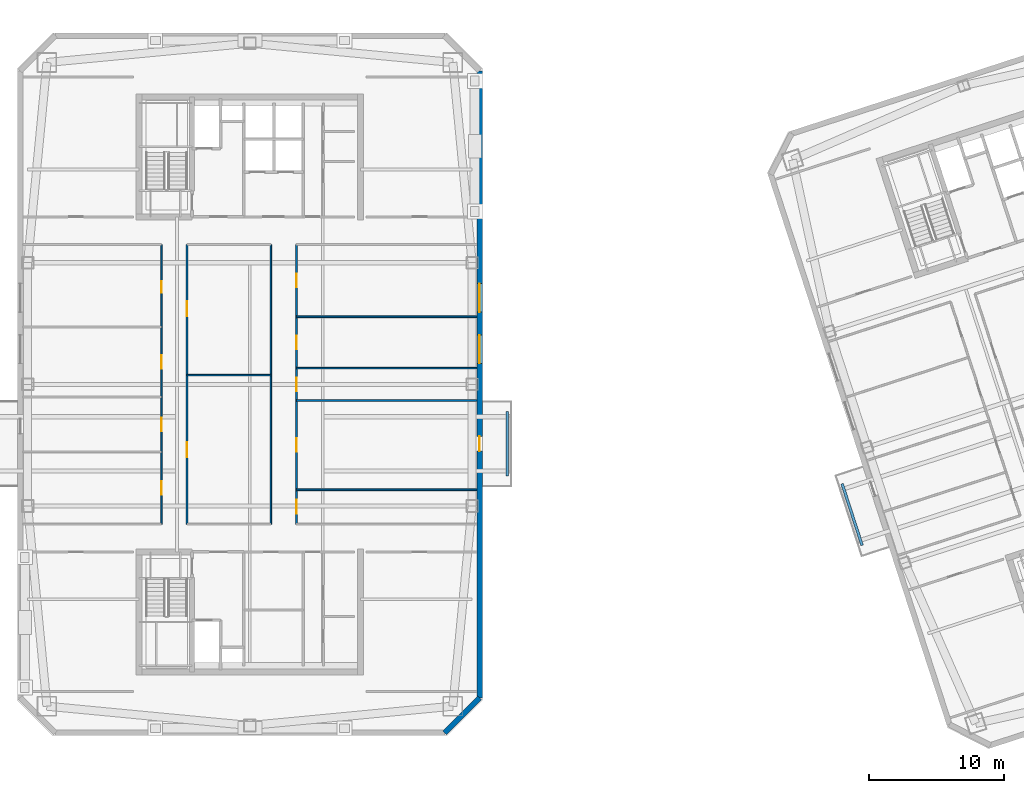
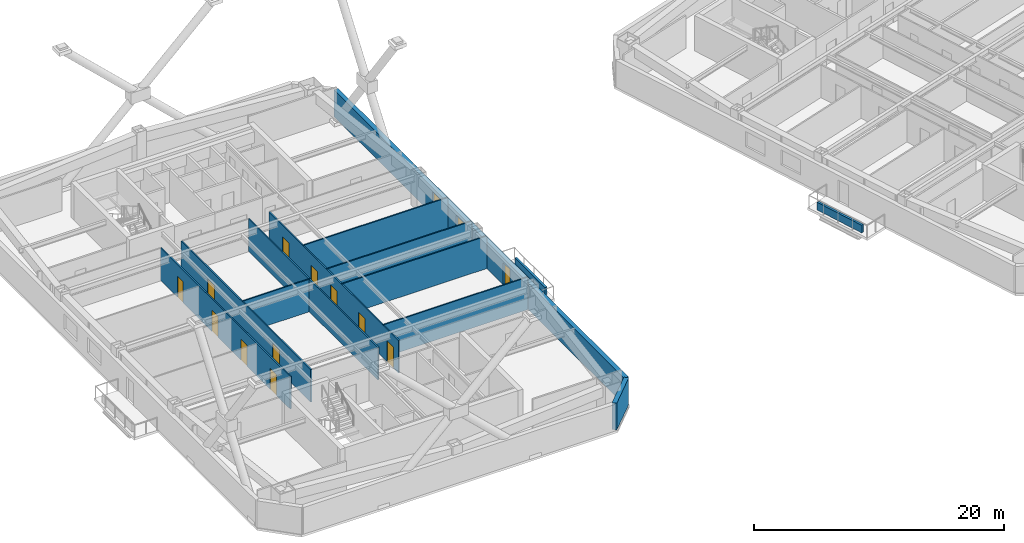
# One storey, part 7 of 16: 13 walls, 12 doors, 2 windows, 14 openings.
"""IFC4 building model written with IfcOpenShell, lengths in metres."""

import ifcopenshell
import ifcopenshell.guid

model = None  # the IFC model being written
_history = None  # IfcOwnerHistory: only IFC2X3 demands one
_inside = {}  # id of a spatial element -> (the spatial element, [elements in it])
_under = {}  # id of a project, library or spatial element -> (it, [spatial elements below it])
_declared = {}  # id of a project -> (the project, [libraries it declares])
_typed = {}  # id of a type object -> (the type object, [elements of that type])
_made_of = {}  # id of a material, layer set ... -> (it, [elements and type objects made of it])


def new_model(schema):
    """Start an empty IFC model of exactly this schema.

    Asked for "IFC4X3", IfcOpenShell would pick the latest addendum, in which some entities
    have other attributes; the version numbers below select the first issue.
    IFC2X3 requires an IfcOwnerHistory on every rooted entity: one is made here for all.
    """
    global model, _history
    if schema == "IFC4X3":
        model = ifcopenshell.file(schema_version=(4, 3, 0, 0))
    else:
        model = ifcopenshell.file(schema=schema)
    _inside.clear()
    _under.clear()
    _declared.clear()
    _typed.clear()
    _made_of.clear()
    _history = None
    if model.schema == "IFC2X3":
        org = make("IfcOrganization", Name="unknown")
        user = make(
            "IfcPersonAndOrganization",
            ThePerson=make("IfcPerson", FamilyName="unknown"),
            TheOrganization=org,
        )
        app = make(
            "IfcApplication",
            ApplicationDeveloper=org,
            Version="unknown",
            ApplicationFullName="unknown",
            ApplicationIdentifier="unknown",
        )
        _history = make(
            "IfcOwnerHistory",
            OwningUser=user,
            OwningApplication=app,
            ChangeAction="ADDED",
            CreationDate=0,
        )
    return model


def make(cls, **values):
    """One entity of the class cls with the attributes given. An attribute that is None is left unset."""
    return model.create_entity(
        cls, **{name: value for name, value in values.items() if value is not None}
    )


def rooted(cls, **values):
    """An entity with a GlobalId (a new one), such as an element, a storey or a relation."""
    return make(cls, GlobalId=ifcopenshell.guid.new(), OwnerHistory=_history, **values)


def si_unit(unit_type, name, prefix=None):
    """IfcSIUnit, for example si_unit("LENGTHUNIT", "METRE", prefix="MILLI")."""
    return make("IfcSIUnit", UnitType=unit_type, Prefix=prefix, Name=name)


def assignment(units):
    """IfcUnitAssignment: the units of a project."""
    return None if units is None else make("IfcUnitAssignment", Units=units)


def point(xyz):
    """IfcCartesianPoint."""
    return None if xyz is None else make("IfcCartesianPoint", Coordinates=xyz)


def direction(xyz):
    """IfcDirection."""
    return None if xyz is None else make("IfcDirection", DirectionRatios=xyz)


def frame(location, z_axis=None, x_axis=None):
    """IfcAxis2Placement3D, a coordinate frame: its origin and axes. An axis left out is left unset."""
    return make(
        "IfcAxis2Placement3D",
        Location=point(location),
        Axis=direction(z_axis),
        RefDirection=direction(x_axis),
    )


def frame_2d(location, x_axis=None):
    """IfcAxis2Placement2D, a coordinate frame in the plane: its origin and x axis."""
    return make(
        "IfcAxis2Placement2D", Location=point(location), RefDirection=direction(x_axis)
    )


def origin():
    """The frame at (0, 0, 0) with its axes left unset."""
    return frame((0.0, 0.0, 0.0))


def place(relative_to, where):
    """IfcLocalPlacement: puts the frame where relative to a parent placement (None: the world)."""
    return make(
        "IfcLocalPlacement", PlacementRelTo=relative_to, RelativePlacement=where
    )


def context(
    kind, dimensions, precision=None, world=None, true_north=None, identifier=None
):
    """IfcGeometricRepresentationContext, for example the 3D "Model" context."""
    return make(
        "IfcGeometricRepresentationContext",
        ContextIdentifier=identifier,
        ContextType=kind,
        CoordinateSpaceDimension=dimensions,
        Precision=precision,
        WorldCoordinateSystem=world,
        TrueNorth=true_north,
    )


def subcontext(parent, identifier, kind, view, scale=None):
    """IfcGeometricRepresentationSubContext, for example "Body" below "Model"."""
    return make(
        "IfcGeometricRepresentationSubContext",
        ContextIdentifier=identifier,
        ContextType=kind,
        ParentContext=parent,
        TargetScale=scale,
        TargetView=view,
    )


def project(units=None, contexts=None):
    """IfcProject with its units and contexts."""
    return rooted(
        "IfcProject",
        Name="project",
        RepresentationContexts=contexts,
        UnitsInContext=assignment(units),
    )


def spatial(cls, under=None, at=None, **own):
    """A site, building, storey or space (cls), placed at a placement, below another one or the project."""
    s = rooted(cls, ObjectPlacement=at, **own)
    if under is not None:
        _under.setdefault(under.id(), (under, []))[1].append(s)
    return s


def profile(cls, at=None, kind="AREA", **sizes):
    """A parametric profile (cls). Its sizes go by their IFC names, for example OverallWidth=200.0."""
    return make(cls, ProfileType=kind, Position=at, **sizes)


def rectangle(**sizes):
    """IfcRectangleProfileDef."""
    return profile("IfcRectangleProfileDef", **sizes)


def extrude(swept, where, along, depth):
    """IfcExtrudedAreaSolid: the profile swept, set in the frame where, extruded along a direction by depth."""
    return make(
        "IfcExtrudedAreaSolid",
        SweptArea=swept,
        Position=where,
        ExtrudedDirection=direction(along),
        Depth=depth,
    )


def shape(context_of_items, identifier, shape_type, items):
    """IfcShapeRepresentation: the items that make up one representation, for example the "Body"."""
    return make(
        "IfcShapeRepresentation",
        ContextOfItems=context_of_items,
        RepresentationIdentifier=identifier,
        RepresentationType=shape_type,
        Items=items,
    )


def material(Name=None, Category=None):
    """IfcMaterial."""
    return make("IfcMaterial", Name=Name, Category=Category)


def layer(
    of_material, thickness, ventilated=None, Name=None, Category=None, Priority=None
):
    """IfcMaterialLayer: one layer of a wall or slab, of a material (None: an air gap)."""
    return make(
        "IfcMaterialLayer",
        Material=of_material,
        LayerThickness=thickness,
        IsVentilated=ventilated,
        Name=Name,
        Category=Category,
        Priority=Priority,
    )


def layer_set(layers, Name=None):
    """IfcMaterialLayerSet."""
    return make("IfcMaterialLayerSet", MaterialLayers=layers, LayerSetName=Name)


def made_of(thing, what):
    """Note that an element or type object is made of a material, layer set ...; save() writes the relation."""
    if what is not None:
        _made_of.setdefault(what.id(), (what, []))[1].append(thing)
    return thing


def type_object(cls, material=None, **own):
    """A type object (cls), such as IfcWallType, which elements share."""
    return made_of(rooted(cls, **own), material)


def element(
    cls,
    number,
    at=None,
    inside=None,
    cuts=None,
    type_object=None,
    material=None,
    context=None,
    identifier="Body",
    shape_type=None,
    held_by="IfcProductDefinitionShape",
    body=None,
    shapes=None,
    **own,
):
    """One element of the class cls, such as IfcWall. Its Tag is "e" and its number.

    at: its placement. inside: the storey or other place that contains it. cuts: it is an
    opening in that element (IfcRelVoidsElement). A single representation is given by context,
    identifier, shape_type and body (its items); several are given by shapes. held_by: the class
    of the entity that holds the representations. save() writes the other relations.
    """
    e = rooted(cls, Tag="e%d" % number, ObjectPlacement=at, **own)
    if body is not None:
        shapes = [shape(context, identifier, shape_type, body)]
    if shapes is not None:
        e.Representation = make(held_by, Representations=shapes)
    if inside is not None:
        _inside.setdefault(inside.id(), (inside, []))[1].append(e)
    if cuts is not None:
        rooted(
            "IfcRelVoidsElement", RelatingBuildingElement=cuts, RelatedOpeningElement=e
        )
    if type_object is not None:
        _typed.setdefault(type_object.id(), (type_object, []))[1].append(e)
    return made_of(e, material)


def fill(opening, filler):
    """IfcRelFillsElement: the door or window that sits in an opening."""
    return rooted(
        "IfcRelFillsElement",
        RelatingOpeningElement=opening,
        RelatedBuildingElement=filler,
    )


def aggregate(whole, parts):
    """IfcRelAggregates: a whole, such as a stair, and the parts it consists of."""
    return rooted("IfcRelAggregates", RelatingObject=whole, RelatedObjects=parts)


def save(model, path):
    """Write the relations noted so far, then the file.

    IfcRelAggregates (storeys below a building ...), IfcRelContainedInSpatialStructure (elements
    in a storey), IfcRelDefinesByType, IfcRelAssociatesMaterial and IfcRelDeclares: one each for
    every whole, place, type object, material and project.
    """
    for whole, parts in _under.values():
        aggregate(whole, parts)
    for where, things in _inside.values():
        rooted(
            "IfcRelContainedInSpatialStructure",
            RelatedElements=things,
            RelatingStructure=where,
        )
    for kind, things in _typed.values():
        rooted("IfcRelDefinesByType", RelatedObjects=things, RelatingType=kind)
    for what, things in _made_of.values():
        rooted("IfcRelAssociatesMaterial", RelatedObjects=things, RelatingMaterial=what)
    for by, libraries in _declared.values():
        rooted("IfcRelDeclares", RelatingContext=by, RelatedDefinitions=libraries)
    model.write(path)


model = new_model("IFC4")

# Units and contexts
model_context = context("Model", 3, precision=1e-05, world=origin(), true_north=direction((0.0, 1.0)))
body_context = subcontext(model_context, "Body", "Model", "MODEL_VIEW")
ifc_project = project(units=[si_unit("LENGTHUNIT", "METRE"), si_unit("AREAUNIT", "SQUARE_METRE"), si_unit("VOLUMEUNIT", "CUBIC_METRE"), si_unit("PLANEANGLEUNIT", "RADIAN"), si_unit("MASSUNIT", "GRAM", prefix="KILO")], contexts=[model_context])

# Site, building, storey
site_placement = place(None, origin())
site = spatial("IfcSite", under=ifc_project, at=site_placement, CompositionType="ELEMENT")
building_placement = place(site_placement, origin())
building = spatial("IfcBuilding", under=site, at=building_placement, Name="Qiaolan Cultural Towers", CompositionType="ELEMENT")
storey_placement = place(building_placement, frame((0.0, 0.0, 188.60009765625)))
storey = spatial("IfcBuildingStorey", under=building, at=storey_placement, Name="L50", CompositionType="ELEMENT", Elevation=188.60009765625)

# Wall, openings, door, windows
ifc_material_1 = material(Name="Precast Concrete C50 Honed Stone Pier", Category="masonry")
ifc_layer_1 = layer(ifc_material_1, 0.39990234375)
ifc_layer_set_1 = layer_set([ifc_layer_1], Name="Precast Concrete C50 Honed Stone Pier")
wall_type_1 = type_object("IfcWallType", Name="WL-EXT-PIER-400", PredefinedType="SOLIDWALL", material=ifc_layer_set_1)
wall_1_placement = place(storey_placement, frame((47.0, 57.199951171875, 0.0), z_axis=(0.0, 0.0, 1.0), x_axis=(0.0, -1.0, 0.0)))
wall_1 = element("IfcWall", 1, at=wall_1_placement, inside=storey, type_object=wall_type_1, Name="L50 West Tower Precast Pier Facade Wall F5", PredefinedType="SOLIDWALL", context=body_context, shape_type="SweptSolid", body=[
    extrude(rectangle(XDim=46.39990234375, YDim=0.39990234375, at=frame_2d((23.199951171875, 0.0))), origin(), (0.0, 0.0, 1.0), 2.60986328125),
])
opening_1_placement = place(wall_1_placement, frame((19.550048828125, 0.0, 0.75)))
opening_1 = element("IfcOpeningElement", 2, at=opening_1_placement, cuts=wall_1, Name="Opening W-05", PredefinedType="OPENING", context=body_context, shape_type="SweptSolid", body=[
    extrude(rectangle(XDim=2.10009765625, YDim=1.4599609375, at=frame_2d((1.050048828125, 0.72998046875))), frame((0.0, 0.2099609375, 0.0), z_axis=(0.0, -1.0, 0.0), x_axis=(1.0, 0.0, 0.0)), (0.0, 0.0, 1.0), 0.419921875),
])
opening_2_placement = place(wall_1_placement, frame((15.75, 0.0, 0.75)))
opening_2 = element("IfcOpeningElement", 3, at=opening_2_placement, cuts=wall_1, Name="Opening W-05", PredefinedType="OPENING", context=body_context, shape_type="SweptSolid", body=[
    extrude(rectangle(XDim=2.10009765625, YDim=1.4599609375, at=frame_2d((1.050048828125, 0.72998046875))), frame((0.0, 0.2099609375, 0.0), z_axis=(0.0, -1.0, 0.0), x_axis=(1.0, 0.0, 0.0)), (0.0, 0.0, 1.0), 0.419921875),
])
opening_3_placement = place(wall_1_placement, frame((27.050048828125, 0.0, 0.0)))
opening_3 = element("IfcOpeningElement", 4, at=opening_3_placement, cuts=wall_1, Name="Opening BD-01", PredefinedType="OPENING", context=body_context, shape_type="SweptSolid", body=[
    extrude(rectangle(XDim=1.10009765625, YDim=2.14990234375, at=frame_2d((0.550048828125, 1.074951171875))), frame((0.0, 0.2099609375, 0.0), z_axis=(0.0, -1.0, 0.0), x_axis=(1.0, 0.0, 0.0)), (0.0, 0.0, 1.0), 0.419921875),
])
ifc_material_2 = material(Name="Thermally Broken Aluminium Glazed Terrace Door", Category="aluminium")
door_type_1 = type_object("IfcDoorType", Name="DR-BAL-1100", OperationType="NOTDEFINED", PredefinedType="DOOR", material=ifc_material_2)
door_1_placement = place(opening_3_placement, origin())
door_1 = element("IfcDoor", 5, at=door_1_placement, inside=storey, type_object=door_type_1, Name="L50 T1 East Tree Balcony Door", OperationType="SINGLE_SWING_RIGHT", OverallHeight=2.14990234375, OverallWidth=1.10009765625, PredefinedType="DOOR", context=body_context, shape_type="SweptSolid", body=[
    extrude(rectangle(XDim=1.10009765625, YDim=2.14990234375, at=frame_2d((0.550048828125, 1.074951171875))), frame((0.0, 0.02490234375, 0.0), z_axis=(0.0, -1.0, 0.0), x_axis=(1.0, 0.0, 0.0)), (0.0, 0.0, 1.0), 0.050048828125),
])
fill(opening_3, door_1)
ifc_material_3 = material(Name="Thermally Broken Aluminium Triple Low-E Glazing", Category="aluminium")
window_type = type_object("IfcWindowType", Name="WN-CHIC-2100", PartitioningType="SINGLE_PANEL", PredefinedType="WINDOW", material=ifc_material_3)
window_1_placement = place(opening_1_placement, origin())
window_1 = element("IfcWindow", 6, at=window_1_placement, inside=storey, type_object=window_type, Name="L50 T1 E Chicago Bay Window 1", OverallHeight=1.4599609375, OverallWidth=2.10009765625, PartitioningType="TRIPLE_PANEL_VERTICAL", PredefinedType="WINDOW", context=body_context, shape_type="SweptSolid", body=[
    extrude(rectangle(XDim=2.10009765625, YDim=1.4599609375, at=frame_2d((1.050048828125, 0.72998046875))), frame((0.0, 0.030029296875, 0.0), z_axis=(0.0, -1.0, 0.0), x_axis=(1.0, 0.0, 0.0)), (0.0, 0.0, 1.0), 0.06005859375),
])
fill(opening_1, window_1)
window_2_placement = place(opening_2_placement, origin())
window_2 = element("IfcWindow", 7, at=window_2_placement, inside=storey, type_object=window_type, Name="L50 T1 E Chicago Bay Window 2", OverallHeight=1.4599609375, OverallWidth=2.10009765625, PartitioningType="TRIPLE_PANEL_VERTICAL", PredefinedType="WINDOW", context=body_context, shape_type="SweptSolid", body=[
    extrude(rectangle(XDim=2.10009765625, YDim=1.4599609375, at=frame_2d((1.050048828125, 0.72998046875))), frame((0.0, 0.030029296875, 0.0), z_axis=(0.0, -1.0, 0.0), x_axis=(1.0, 0.0, 0.0)), (0.0, 0.0, 1.0), 0.06005859375),
])
fill(opening_2, window_2)

# Wall
wall_2_placement = place(storey_placement, frame((47.0, 10.800048828125, 0.0), z_axis=(0.0, 0.0, 1.0), x_axis=(-0.707106781187, -0.707106781187, 0.0)))
element("IfcWall", 8, at=wall_2_placement, inside=storey, type_object=wall_type_1, Name="L50 West Tower Precast Pier Facade Wall F6", PredefinedType="SOLIDWALL", context=body_context, shape_type="SweptSolid", body=[
    extrude(rectangle(XDim=3.677001953125, YDim=0.39990234375, at=frame_2d((1.83837890625, 0.0))), origin(), (0.0, 0.0, 1.0), 2.60986328125),
])

# Wall, openings, doors
ifc_material_4 = material(Name="Gypsum Stud Acoustic Partition", Category="gypsum")
ifc_layer_2 = layer(ifc_material_4, 0.1201171875)
ifc_layer_set_2 = layer_set([ifc_layer_2], Name="Gypsum Stud Acoustic Partition")
wall_type_2 = type_object("IfcWallType", Name="WL-PART-120", PredefinedType="PARTITIONING", material=ifc_layer_set_2)
wall_3_placement = place(storey_placement, frame((23.449951171875, 23.64990234375, 0.0), z_axis=(0.0, 0.0, 1.0), x_axis=(0.0, 1.0, 0.0)))
wall_3 = element("IfcWall", 9, at=wall_3_placement, inside=storey, type_object=wall_type_2, Name="L50 T1 Interior Wall", PredefinedType="PARTITIONING", context=body_context, shape_type="SweptSolid", body=[
    extrude(rectangle(XDim=20.7001953125, YDim=0.1201171875, at=frame_2d((10.35009765625, 0.0))), origin(), (0.0, 0.0, 1.0), 3.1748046875),
])
opening_4_placement = place(wall_3_placement, frame((2.175048828125, 0.0, 0.0)))
opening_4 = element("IfcOpeningElement", 10, at=opening_4_placement, cuts=wall_3, Name="Opening ID-04", PredefinedType="OPENING", context=body_context, shape_type="SweptSolid", body=[
    extrude(rectangle(XDim=1.0, YDim=2.050048828125, at=frame_2d((0.5, 1.02490234375))), frame((0.0, 0.070068359375, 0.0), z_axis=(0.0, -1.0, 0.0), x_axis=(1.0, 0.0, 0.0)), (0.0, 0.0, 1.0), 0.14013671875),
])
opening_5_placement = place(wall_3_placement, frame((6.882568359375, 0.0, 0.0)))
opening_5 = element("IfcOpeningElement", 11, at=opening_5_placement, cuts=wall_3, Name="Opening ID-04", PredefinedType="OPENING", context=body_context, shape_type="SweptSolid", body=[
    extrude(rectangle(XDim=1.0, YDim=2.050048828125, at=frame_2d((0.5, 1.02490234375))), frame((0.0, 0.070068359375, 0.0), z_axis=(0.0, -1.0, 0.0), x_axis=(1.0, 0.0, 0.0)), (0.0, 0.0, 1.0), 0.14013671875),
])
opening_6_placement = place(wall_3_placement, frame((11.50244140625, 0.0, 0.0)))
opening_6 = element("IfcOpeningElement", 12, at=opening_6_placement, cuts=wall_3, Name="Opening ID-04", PredefinedType="OPENING", context=body_context, shape_type="SweptSolid", body=[
    extrude(rectangle(XDim=1.0, YDim=2.050048828125, at=frame_2d((0.5, 1.02490234375))), frame((0.0, 0.070068359375, 0.0), z_axis=(0.0, -1.0, 0.0), x_axis=(1.0, 0.0, 0.0)), (0.0, 0.0, 1.0), 0.14013671875),
])
opening_7_placement = place(wall_3_placement, frame((17.14501953125, 0.0, 0.0)))
opening_7 = element("IfcOpeningElement", 13, at=opening_7_placement, cuts=wall_3, Name="Opening ID-09", PredefinedType="OPENING", context=body_context, shape_type="SweptSolid", body=[
    extrude(rectangle(XDim=0.85009765625, YDim=2.050048828125, at=frame_2d((0.425048828125, 1.02490234375))), frame((0.0, 0.070068359375, 0.0), z_axis=(0.0, -1.0, 0.0), x_axis=(1.0, 0.0, 0.0)), (0.0, 0.0, 1.0), 0.14013671875),
])
ifc_material_5 = material(Name="Oak Veneer Acoustic Office Door", Category="timber")
door_type_2 = type_object("IfcDoorType", Name="DR-INT-1000", OperationType="NOTDEFINED", PredefinedType="DOOR", material=ifc_material_5)
door_2_placement = place(opening_4_placement, origin())
door_2 = element("IfcDoor", 14, at=door_2_placement, inside=storey, type_object=door_type_2, Name="L50 T1 International Law Office Door", OperationType="SINGLE_SWING_LEFT", OverallHeight=2.050048828125, OverallWidth=1.0, PredefinedType="DOOR", context=body_context, shape_type="SweptSolid", body=[
    extrude(rectangle(XDim=1.0, YDim=2.050048828125, at=frame_2d((0.5, 1.02490234375))), frame((0.0, 0.02490234375, 0.0), z_axis=(0.0, -1.0, 0.0), x_axis=(1.0, 0.0, 0.0)), (0.0, 0.0, 1.0), 0.050048828125),
])
fill(opening_4, door_2)
door_3_placement = place(opening_5_placement, origin())
door_3 = element("IfcDoor", 15, at=door_3_placement, inside=storey, type_object=door_type_2, Name="L50 T1 International Law Office Door", OperationType="SINGLE_SWING_RIGHT", OverallHeight=2.050048828125, OverallWidth=1.0, PredefinedType="DOOR", context=body_context, shape_type="SweptSolid", body=[
    extrude(rectangle(XDim=1.0, YDim=2.050048828125, at=frame_2d((0.5, 1.02490234375))), frame((0.0, 0.02490234375, 0.0), z_axis=(0.0, -1.0, 0.0), x_axis=(1.0, 0.0, 0.0)), (0.0, 0.0, 1.0), 0.050048828125),
])
fill(opening_5, door_3)
door_4_placement = place(opening_6_placement, origin())
door_4 = element("IfcDoor", 16, at=door_4_placement, inside=storey, type_object=door_type_2, Name="L50 T1 International Law Office Door", OperationType="SINGLE_SWING_LEFT", OverallHeight=2.050048828125, OverallWidth=1.0, PredefinedType="DOOR", context=body_context, shape_type="SweptSolid", body=[
    extrude(rectangle(XDim=1.0, YDim=2.050048828125, at=frame_2d((0.5, 1.02490234375))), frame((0.0, 0.02490234375, 0.0), z_axis=(0.0, -1.0, 0.0), x_axis=(1.0, 0.0, 0.0)), (0.0, 0.0, 1.0), 0.050048828125),
])
fill(opening_6, door_4)
ifc_material_6 = material(Name="Moisture-Resistant Laminate Utility Door", Category="timber")
door_type_3 = type_object("IfcDoorType", Name="DR-INT-850", OperationType="NOTDEFINED", PredefinedType="DOOR", material=ifc_material_6)
door_5_placement = place(opening_7_placement, origin())
door_5 = element("IfcDoor", 17, at=door_5_placement, inside=storey, type_object=door_type_3, Name="L50 T1 Arbitration Room Door", OperationType="SINGLE_SWING_RIGHT", OverallHeight=2.050048828125, OverallWidth=0.85009765625, PredefinedType="DOOR", context=body_context, shape_type="SweptSolid", body=[
    extrude(rectangle(XDim=0.85009765625, YDim=2.050048828125, at=frame_2d((0.425048828125, 1.02490234375))), frame((0.0, 0.02490234375, 0.0), z_axis=(0.0, -1.0, 0.0), x_axis=(1.0, 0.0, 0.0)), (0.0, 0.0, 1.0), 0.050048828125),
])
fill(opening_7, door_5)

wall_4_placement = place(storey_placement, frame((25.35009765625, 23.64990234375, 0.0), z_axis=(0.0, 0.0, 1.0), x_axis=(0.0, 1.0, 0.0)))
wall_4 = element("IfcWall", 18, at=wall_4_placement, inside=storey, type_object=wall_type_2, Name="L50 T1 Interior Wall", PredefinedType="PARTITIONING", context=body_context, shape_type="SweptSolid", body=[
    extrude(rectangle(XDim=20.7001953125, YDim=0.1201171875, at=frame_2d((10.35009765625, 0.0))), origin(), (0.0, 0.0, 1.0), 3.1748046875),
])
opening_8_placement = place(wall_4_placement, frame((4.96337890625, 0.0, 0.0)))
opening_8 = element("IfcOpeningElement", 19, at=opening_8_placement, cuts=wall_4, Name="Opening ID-03", PredefinedType="OPENING", context=body_context, shape_type="SweptSolid", body=[
    extrude(rectangle(XDim=1.10009765625, YDim=2.050048828125, at=frame_2d((0.550048828125, 1.02490234375))), frame((0.0, 0.070068359375, 0.0), z_axis=(0.0, -1.0, 0.0), x_axis=(1.0, 0.0, 0.0)), (0.0, 0.0, 1.0), 0.14013671875),
])
opening_9_placement = place(wall_4_placement, frame((15.381591796875, 0.0, 0.0)))
opening_9 = element("IfcOpeningElement", 20, at=opening_9_placement, cuts=wall_4, Name="Opening ID-03", PredefinedType="OPENING", context=body_context, shape_type="SweptSolid", body=[
    extrude(rectangle(XDim=1.10009765625, YDim=2.050048828125, at=frame_2d((0.550048828125, 1.02490234375))), frame((0.0, 0.070068359375, 0.0), z_axis=(0.0, -1.0, 0.0), x_axis=(1.0, 0.0, 0.0)), (0.0, 0.0, 1.0), 0.14013671875),
])
ifc_material_7 = material(Name="Oak Veneer Solid-Core Boardroom Door", Category="timber")
door_type_4 = type_object("IfcDoorType", Name="DR-INT-1100", OperationType="NOTDEFINED", PredefinedType="DOOR", material=ifc_material_7)
door_6_placement = place(opening_8_placement, origin())
door_6 = element("IfcDoor", 21, at=door_6_placement, inside=storey, type_object=door_type_4, Name="L50 T1 Central Boardroom Door", OperationType="SINGLE_SWING_LEFT", OverallHeight=2.050048828125, OverallWidth=1.10009765625, PredefinedType="DOOR", context=body_context, shape_type="SweptSolid", body=[
    extrude(rectangle(XDim=1.10009765625, YDim=2.050048828125, at=frame_2d((0.550048828125, 1.02490234375))), frame((0.0, 0.02490234375, 0.0), z_axis=(0.0, -1.0, 0.0), x_axis=(1.0, 0.0, 0.0)), (0.0, 0.0, 1.0), 0.050048828125),
])
fill(opening_8, door_6)
door_7_placement = place(opening_9_placement, origin())
door_7 = element("IfcDoor", 22, at=door_7_placement, inside=storey, type_object=door_type_4, Name="L50 T1 Central Archive Salon Door", OperationType="SINGLE_SWING_RIGHT", OverallHeight=2.050048828125, OverallWidth=1.10009765625, PredefinedType="DOOR", context=body_context, shape_type="SweptSolid", body=[
    extrude(rectangle(XDim=1.10009765625, YDim=2.050048828125, at=frame_2d((0.550048828125, 1.02490234375))), frame((0.0, 0.02490234375, 0.0), z_axis=(0.0, -1.0, 0.0), x_axis=(1.0, 0.0, 0.0)), (0.0, 0.0, 1.0), 0.050048828125),
])
fill(opening_9, door_7)

# Wall
wall_5_placement = place(storey_placement, frame((31.550048828125, 23.64990234375, 0.0), z_axis=(0.0, 0.0, 1.0), x_axis=(0.0, 1.0, 0.0)))
element("IfcWall", 23, at=wall_5_placement, inside=storey, type_object=wall_type_2, Name="L50 T1 Interior Wall", PredefinedType="PARTITIONING", context=body_context, shape_type="SweptSolid", body=[
    extrude(rectangle(XDim=20.7001953125, YDim=0.1201171875, at=frame_2d((10.35009765625, 0.0))), origin(), (0.0, 0.0, 1.0), 3.1748046875),
])

# Wall, openings, doors
wall_6_placement = place(storey_placement, frame((33.449951171875, 23.64990234375, 0.0), z_axis=(0.0, 0.0, 1.0), x_axis=(0.0, 1.0, 0.0)))
wall_6 = element("IfcWall", 24, at=wall_6_placement, inside=storey, type_object=wall_type_2, Name="L50 T1 Interior Wall", PredefinedType="PARTITIONING", context=body_context, shape_type="SweptSolid", body=[
    extrude(rectangle(XDim=20.7001953125, YDim=0.1201171875, at=frame_2d((10.35009765625, 0.0))), origin(), (0.0, 0.0, 1.0), 3.1748046875),
])
opening_10_placement = place(wall_6_placement, frame((0.77490234375, 0.0, 0.0)))
opening_10 = element("IfcOpeningElement", 25, at=opening_10_placement, cuts=wall_6, Name="Opening ID-07", PredefinedType="OPENING", context=body_context, shape_type="SweptSolid", body=[
    extrude(rectangle(XDim=1.050048828125, YDim=2.050048828125, at=frame_2d((0.52490234375, 1.02490234375))), frame((0.0, 0.070068359375, 0.0), z_axis=(0.0, -1.0, 0.0), x_axis=(1.0, 0.0, 0.0)), (0.0, 0.0, 1.0), 0.14013671875),
])
opening_11_placement = place(wall_6_placement, frame((5.35009765625, 0.0, 0.0)))
opening_11 = element("IfcOpeningElement", 26, at=opening_11_placement, cuts=wall_6, Name="Opening ID-04", PredefinedType="OPENING", context=body_context, shape_type="SweptSolid", body=[
    extrude(rectangle(XDim=1.0, YDim=2.050048828125, at=frame_2d((0.5, 1.02490234375))), frame((0.0, 0.070068359375, 0.0), z_axis=(0.0, -1.0, 0.0), x_axis=(1.0, 0.0, 0.0)), (0.0, 0.0, 1.0), 0.14013671875),
])
opening_12_placement = place(wall_6_placement, frame((9.85009765625, 0.0, 0.0)))
opening_12 = element("IfcOpeningElement", 27, at=opening_12_placement, cuts=wall_6, Name="Opening ID-04", PredefinedType="OPENING", context=body_context, shape_type="SweptSolid", body=[
    extrude(rectangle(XDim=1.0, YDim=2.050048828125, at=frame_2d((0.5, 1.02490234375))), frame((0.0, 0.070068359375, 0.0), z_axis=(0.0, -1.0, 0.0), x_axis=(1.0, 0.0, 0.0)), (0.0, 0.0, 1.0), 0.14013671875),
])
opening_13_placement = place(wall_6_placement, frame((12.949951171875, 0.0, 0.0)))
opening_13 = element("IfcOpeningElement", 28, at=opening_13_placement, cuts=wall_6, Name="Opening ID-04", PredefinedType="OPENING", context=body_context, shape_type="SweptSolid", body=[
    extrude(rectangle(XDim=1.0, YDim=2.050048828125, at=frame_2d((0.5, 1.02490234375))), frame((0.0, 0.070068359375, 0.0), z_axis=(0.0, -1.0, 0.0), x_axis=(1.0, 0.0, 0.0)), (0.0, 0.0, 1.0), 0.14013671875),
])
opening_14_placement = place(wall_6_placement, frame((17.52490234375, 0.0, 0.0)))
opening_14 = element("IfcOpeningElement", 29, at=opening_14_placement, cuts=wall_6, Name="Opening ID-04", PredefinedType="OPENING", context=body_context, shape_type="SweptSolid", body=[
    extrude(rectangle(XDim=1.0, YDim=2.050048828125, at=frame_2d((0.5, 1.02490234375))), frame((0.0, 0.070068359375, 0.0), z_axis=(0.0, -1.0, 0.0), x_axis=(1.0, 0.0, 0.0)), (0.0, 0.0, 1.0), 0.14013671875),
])
door_8_placement = place(opening_11_placement, origin())
door_8 = element("IfcDoor", 30, at=door_8_placement, inside=storey, type_object=door_type_2, Name="L50 T1 Client Hospitality Kitchen Door", OperationType="SINGLE_SWING_LEFT", OverallHeight=2.050048828125, OverallWidth=1.0, PredefinedType="DOOR", context=body_context, shape_type="SweptSolid", body=[
    extrude(rectangle(XDim=1.0, YDim=2.050048828125, at=frame_2d((0.5, 1.02490234375))), frame((0.0, 0.02490234375, 0.0), z_axis=(0.0, -1.0, 0.0), x_axis=(1.0, 0.0, 0.0)), (0.0, 0.0, 1.0), 0.050048828125),
])
fill(opening_11, door_8)
door_9_placement = place(opening_12_placement, origin())
door_9 = element("IfcDoor", 31, at=door_9_placement, inside=storey, type_object=door_type_2, Name="L50 T1 Client Hospitality Kitchen Door", OperationType="SINGLE_SWING_RIGHT", OverallHeight=2.050048828125, OverallWidth=1.0, PredefinedType="DOOR", context=body_context, shape_type="SweptSolid", body=[
    extrude(rectangle(XDim=1.0, YDim=2.050048828125, at=frame_2d((0.5, 1.02490234375))), frame((0.0, 0.02490234375, 0.0), z_axis=(0.0, -1.0, 0.0), x_axis=(1.0, 0.0, 0.0)), (0.0, 0.0, 1.0), 0.050048828125),
])
fill(opening_12, door_9)
door_10_placement = place(opening_13_placement, origin())
door_10 = element("IfcDoor", 32, at=door_10_placement, inside=storey, type_object=door_type_2, Name="L50 T1 Counsel Lounge Door", OperationType="SINGLE_SWING_LEFT", OverallHeight=2.050048828125, OverallWidth=1.0, PredefinedType="DOOR", context=body_context, shape_type="SweptSolid", body=[
    extrude(rectangle(XDim=1.0, YDim=2.050048828125, at=frame_2d((0.5, 1.02490234375))), frame((0.0, 0.02490234375, 0.0), z_axis=(0.0, -1.0, 0.0), x_axis=(1.0, 0.0, 0.0)), (0.0, 0.0, 1.0), 0.050048828125),
])
fill(opening_13, door_10)
door_11_placement = place(opening_14_placement, origin())
door_11 = element("IfcDoor", 33, at=door_11_placement, inside=storey, type_object=door_type_2, Name="L50 T1 First-Aid Care Room Door", OperationType="SINGLE_SWING_RIGHT", OverallHeight=2.050048828125, OverallWidth=1.0, PredefinedType="DOOR", context=body_context, shape_type="SweptSolid", body=[
    extrude(rectangle(XDim=1.0, YDim=2.050048828125, at=frame_2d((0.5, 1.02490234375))), frame((0.0, 0.02490234375, 0.0), z_axis=(0.0, -1.0, 0.0), x_axis=(1.0, 0.0, 0.0)), (0.0, 0.0, 1.0), 0.050048828125),
])
fill(opening_14, door_11)
ifc_material_8 = material(Name="Oak Veneer Consultation Door", Category="timber")
door_type_5 = type_object("IfcDoorType", Name="DR-INT-1050", OperationType="NOTDEFINED", PredefinedType="DOOR", material=ifc_material_8)
door_12_placement = place(opening_10_placement, origin())
door_12 = element("IfcDoor", 34, at=door_12_placement, inside=storey, type_object=door_type_5, Name="L50 T1 Legal Library Salon Door", OperationType="SINGLE_SWING_RIGHT", OverallHeight=2.050048828125, OverallWidth=1.050048828125, PredefinedType="DOOR", context=body_context, shape_type="SweptSolid", body=[
    extrude(rectangle(XDim=1.050048828125, YDim=2.050048828125, at=frame_2d((0.52490234375, 1.02490234375))), frame((0.0, 0.02490234375, 0.0), z_axis=(0.0, -1.0, 0.0), x_axis=(1.0, 0.0, 0.0)), (0.0, 0.0, 1.0), 0.050048828125),
])
fill(opening_10, door_12)

# Walls
wall_7_placement = place(storey_placement, frame((25.35009765625, 34.679931640625, 0.0), z_axis=(0.0, 0.0, 1.0), x_axis=(1.0, 0.0, 0.0)))
element("IfcWall", 35, at=wall_7_placement, inside=storey, type_object=wall_type_2, Name="L50 T1 Interior Wall", PredefinedType="PARTITIONING", context=body_context, shape_type="SweptSolid", body=[
    extrude(rectangle(XDim=6.199951171875, YDim=0.1201171875, at=frame_2d((3.10009765625, 0.0))), origin(), (0.0, 0.0, 1.0), 3.1748046875),
])
for number, where, z_axis, x_axis, name in (
    (36, (33.449951171875, 26.199951171875, 0.0), (0.0, 0.0, 1.0), (1.0, 0.0, 0.0), "L50 T1 Interior Wall"),
    (37, (33.449951171875, 32.800048828125, 0.0), (0.0, 0.0, 1.0), (1.0, 0.0, 0.0), "L50 T1 Interior Wall"),
    (38, (33.449951171875, 35.199951171875, 0.0), (0.0, 0.0, 1.0), (1.0, 0.0, 0.0), "L50 T1 Interior Wall"),
    (39, (33.449951171875, 39.0, 0.0), (0.0, 0.0, 1.0), (1.0, 0.0, 0.0), "L50 T1 Interior Wall"),
):
    element("IfcWall", number, at=place(storey_placement, frame(where, z_axis=z_axis, x_axis=x_axis)), inside=storey, type_object=wall_type_2, Name=name, PredefinedType="PARTITIONING", context=body_context, shape_type="SweptSolid", body=[
        extrude(rectangle(XDim=13.35009765625, YDim=0.1201171875, at=frame_2d((6.675048828125, 0.0))), origin(), (0.0, 0.0, 1.0), 3.1748046875),
    ])
ifc_material_9 = material(Name="Precast Concrete C45 Tree Planter Upstand", Category="concrete")
ifc_layer_3 = layer(ifc_material_9, 0.199951171875)
ifc_layer_set_3 = layer_set([ifc_layer_3], Name="Precast Concrete C45 Tree Planter Upstand")
wall_type_3 = type_object("IfcWallType", Name="WL-PLANTER-200", PredefinedType="PARAPET", material=ifc_layer_set_3)
for number, where, z_axis, x_axis, name in (
    (40, (49.050048828125, 27.199951171875, 0.0), (0.0, 0.0, 1.0), (0.0, 1.0, 0.0), "L50 T1 Tree Balcony Soil Planter Box E"),
    (41, (75.315185546875, 22.07861328125, 0.0), (0.0, 0.0, 1.0), (-0.309032019345, 0.951051634255, 0.0), "L50 T2 Tree Balcony Soil Planter Box W"),
):
    element("IfcWall", number, at=place(storey_placement, frame(where, z_axis=z_axis, x_axis=x_axis)), inside=storey, type_object=wall_type_3, Name=name, PredefinedType="PARAPET", context=body_context, shape_type="SweptSolid", body=[
        extrude(rectangle(XDim=4.800048828125, YDim=0.199951171875, at=frame_2d((2.39990234375, 0.0))), origin(), (0.0, 0.0, 1.0), 0.75),
    ])

save(model, "model.ifc")
